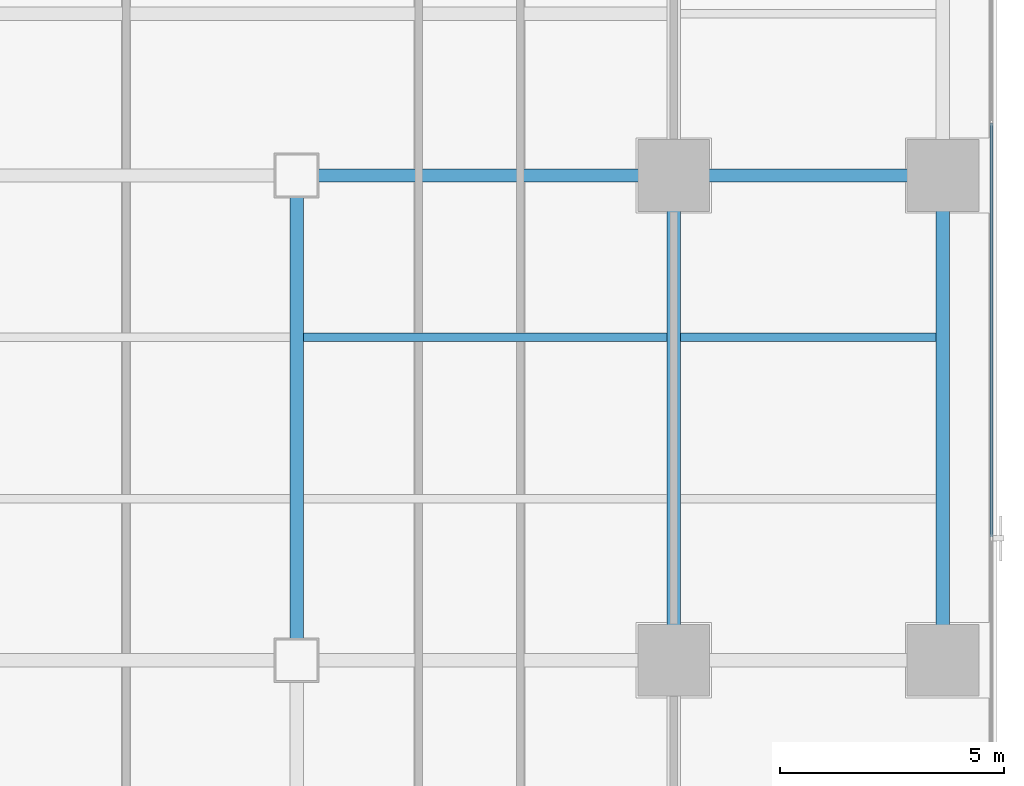
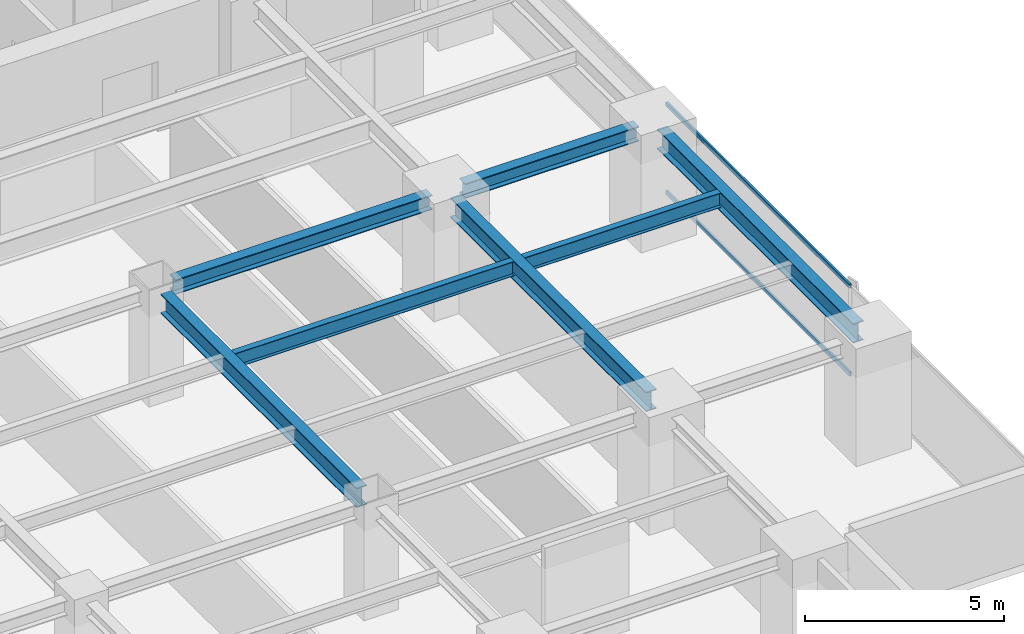
# One storey, part 12 of 27: 7 beams, 2 members, 1 element without a shape of its own.
"""IFC4 building model written with IfcOpenShell, lengths in metres."""

from ifc_helpers import new_model, si_unit, direction, frame, origin, origin_2d, place, context, subcontext, project, spatial, hollow_rectangle, i_section, extrude, source, transform, mapped, material, layer, layer_set, material_profile, profile_set, type_object, element, aggregate, save


model = new_model("IFC4")

# Units and contexts
model_context = context("Model", 3, precision=1e-05, world=origin(), true_north=direction((0.0, 1.0)))
body_context = subcontext(model_context, "Body", "Model", "MODEL_VIEW")
ifc_project = project(units=[si_unit("LENGTHUNIT", "METRE"), si_unit("AREAUNIT", "SQUARE_METRE"), si_unit("VOLUMEUNIT", "CUBIC_METRE"), si_unit("PLANEANGLEUNIT", "RADIAN"), si_unit("MASSUNIT", "GRAM", prefix="KILO")], contexts=[model_context])

# Site, building, storey
site_placement = place(None, origin())
site = spatial("IfcSite", under=ifc_project, at=site_placement, CompositionType="ELEMENT")
building_placement = place(site_placement, origin())
building = spatial("IfcBuilding", under=site, at=building_placement, Name="Sumidabori Civic Tower", CompositionType="ELEMENT")
storey_placement = place(building_placement, frame((0.0, 0.0, 160.39990234375)))
storey = spatial("IfcBuildingStorey", under=building, at=storey_placement, Name="L41", CompositionType="ELEMENT", Elevation=160.39990234375)

# Beams
ifc_material_1 = material(Name="Steel SN490", Category="steel")
ifc_material_profile_1 = material_profile(ifc_material_1, i_section(OverallWidth=0.300048828125, OverallDepth=0.60009765625, WebThickness=0.015380859375, FlangeThickness=0.030029296875, at=origin_2d()), Name="HE 600 B")
ifc_profile_set_1 = profile_set([ifc_material_profile_1], Name="Steel SN490")
beam_type_1 = type_object("IfcBeamType", Name="BM-GIRD-600", PredefinedType="BEAM", material=ifc_profile_set_1)
shared_shape_1 = source(origin(), body_context, "Body", "SweptSolid", [
    extrude(i_section(OverallWidth=0.300048828125, OverallDepth=0.60009765625, WebThickness=0.015380859375, FlangeThickness=0.030029296875, at=origin_2d()), origin(), (0.0, 0.0, 1.0), 9.840087890625),
])
for number, where, z_axis, x_axis, name in (
    (1, (8.39990234375, -10.320068359375, 3.080078125), (0.0, 1.0, 0.0), (-1.0, 0.0, 0.0), "Primary Girder L41 GY-31"),
    (2, (16.800048828125, -10.320068359375, 3.080078125), (0.0, 1.0, 0.0), (-1.0, 0.0, 0.0), "Primary Girder L41 GY-33"),
    (3, (22.800048828125, -10.320068359375, 3.080078125), (0.0, 1.0, 0.0), (-1.0, 0.0, 0.0), "Primary Girder L41 GY-36"),
):
    element("IfcBeam", number, at=place(storey_placement, frame(where, z_axis=z_axis, x_axis=x_axis)), inside=storey, type_object=beam_type_1, Name=name, PredefinedType="BEAM", context=body_context, shape_type="MappedRepresentation", body=[
        mapped(shared_shape_1, transform((0.0, 0.0, 0.0), x_axis=(1.0, 0.0, 0.0), y_axis=(0.0, 1.0, 0.0), z_axis=(0.0, 0.0, 1.0), scale=1.0)),
    ])
ifc_material_profile_2 = material_profile(ifc_material_1, i_section(OverallWidth=0.18994140625, OverallDepth=0.449951171875, WebThickness=0.009521484375, FlangeThickness=0.0146484375, at=origin_2d()), Name="IPE 450")
ifc_profile_set_2 = profile_set([ifc_material_profile_2], Name="Steel SN490")
beam_type_2 = type_object("IfcBeamType", Name="BM-JST-450", PredefinedType="JOIST", material=ifc_profile_set_2)
shared_shape_2 = source(origin(), body_context, "Body", "SweptSolid", [
    extrude(i_section(OverallWidth=0.18994140625, OverallDepth=0.449951171875, WebThickness=0.009521484375, FlangeThickness=0.0146484375, at=origin_2d()), origin(), (0.0, 0.0, 1.0), 5.699951171875),
])
beam_1_placement = place(storey_placement, frame((16.949951171875, -3.60009765625, 3.155029296875), z_axis=(1.0, 0.0, 0.0), x_axis=(0.0, 1.0, 0.0)))
element("IfcBeam", 4, at=beam_1_placement, inside=storey, type_object=beam_type_2, Name="Outer Bay Floor Joist L41 JSTO-42", PredefinedType="JOIST", context=body_context, shape_type="MappedRepresentation", body=[
    mapped(shared_shape_2, transform((0.0, 0.0, 0.0), x_axis=(1.0, 0.0, 0.0), y_axis=(0.0, 1.0, 0.0), z_axis=(0.0, 0.0, 1.0), scale=1.0)),
])
shared_shape_3 = source(origin(), body_context, "Body", "SweptSolid", [
    extrude(i_section(OverallWidth=0.18994140625, OverallDepth=0.449951171875, WebThickness=0.009521484375, FlangeThickness=0.0146484375, at=origin_2d()), origin(), (0.0, 0.0, 1.0), 8.099853515625),
])
beam_2_placement = place(storey_placement, frame((8.550048828125, -3.60009765625, 3.155029296875), z_axis=(1.0, 0.0, 0.0), x_axis=(0.0, 1.0, 0.0)))
element("IfcBeam", 5, at=beam_2_placement, inside=storey, type_object=beam_type_2, Name="South Bay Floor Joist L41 JSTS-60", PredefinedType="JOIST", context=body_context, shape_type="MappedRepresentation", body=[
    mapped(shared_shape_3, transform((0.0, 0.0, 0.0), x_axis=(1.0, 0.0, 0.0), y_axis=(0.0, 1.0, 0.0), z_axis=(0.0, 0.0, 1.0), scale=1.0)),
])
ifc_material_profile_3 = material_profile(ifc_material_1, i_section(OverallWidth=0.300048828125, OverallDepth=0.449951171875, WebThickness=0.013916015625, FlangeThickness=0.02587890625, at=origin_2d()), Name="HE 450 B")
ifc_profile_set_3 = profile_set([ifc_material_profile_3], Name="Steel SN490")
beam_type_3 = type_object("IfcBeamType", Name="BM-GIRD-450", PredefinedType="BEAM", material=ifc_profile_set_3)
shared_shape_4 = source(origin(), body_context, "Body", "SweptSolid", [
    extrude(i_section(OverallWidth=0.300048828125, OverallDepth=0.449951171875, WebThickness=0.013916015625, FlangeThickness=0.02587890625, at=origin_2d()), origin(), (0.0, 0.0, 1.0), 7.440185546875),
])
beam_3_placement = place(storey_placement, frame((8.8798828125, 0.0, 3.155029296875), z_axis=(1.0, 0.0, 0.0), x_axis=(0.0, 1.0, 0.0)))
element("IfcBeam", 6, at=beam_3_placement, inside=storey, type_object=beam_type_3, Name="Primary Girder L41 GX-15", PredefinedType="BEAM", context=body_context, shape_type="MappedRepresentation", body=[
    mapped(shared_shape_4, transform((0.0, 0.0, 0.0), x_axis=(1.0, 0.0, 0.0), y_axis=(0.0, 1.0, 0.0), z_axis=(0.0, 0.0, 1.0), scale=1.0)),
])
shared_shape_5 = source(origin(), body_context, "Body", "SweptSolid", [
    extrude(i_section(OverallWidth=0.300048828125, OverallDepth=0.449951171875, WebThickness=0.013916015625, FlangeThickness=0.02587890625, at=origin_2d()), origin(), (0.0, 0.0, 1.0), 5.0400390625),
])
beam_4_placement = place(storey_placement, frame((17.280029296875, 0.0, 3.155029296875), z_axis=(1.0, 0.0, 0.0), x_axis=(0.0, 1.0, 0.0)))
element("IfcBeam", 7, at=beam_4_placement, inside=storey, type_object=beam_type_3, Name="Primary Girder L41 GX-16", PredefinedType="BEAM", context=body_context, shape_type="MappedRepresentation", body=[
    mapped(shared_shape_5, transform((0.0, 0.0, 0.0), x_axis=(1.0, 0.0, 0.0), y_axis=(0.0, 1.0, 0.0), z_axis=(0.0, 0.0, 1.0), scale=1.0)),
])

# Curtain wall, members
ifc_material_2 = material(Name="Anodised Bronze Aluminium AW-6063-T6", Category="aluminium")
ifc_layer = layer(ifc_material_2, 0.179931640625, Name="Anodised Bronze Aluminium AW-6063-T6")
ifc_layer_set = layer_set([ifc_layer], Name="Anodised Bronze Aluminium AW-6063-T6")
curtain_wall_type = type_object("IfcCurtainWallType", Name="CW-SYS-3", PredefinedType="NOTDEFINED", material=ifc_layer_set)
curtain_wall_placement = place(storey_placement, origin())
curtain_wall = element("IfcCurtainWall", 8, at=curtain_wall_placement, inside=storey, type_object=curtain_wall_type, Name="Curtain Wall CW:L41:R04", PredefinedType="NOTDEFINED")
ifc_material_profile_4 = material_profile(ifc_material_2, hollow_rectangle(XDim=0.06005859375, YDim=0.1298828125, WallThickness=0.0048828125, at=origin_2d()), Name="ALU TRANSOM 130x60")
ifc_profile_set_4 = profile_set([ifc_material_profile_4], Name="Anodised Bronze Aluminium AW-6063-T6")
member_type = type_object("IfcMemberType", Name="CW-TRN-130", PredefinedType="USERDEFINED", material=ifc_profile_set_4)
shared_shape_6 = source(origin(), body_context, "Body", "SweptSolid", [
    extrude(hollow_rectangle(XDim=0.06005859375, YDim=0.1298828125, WallThickness=0.0048828125, at=origin_2d()), origin(), (0.0, 0.0, 1.0), 9.219970703125),
])
member_1_placement = place(storey_placement, frame((23.8798828125, -8.052490234375, 0.030029296875), z_axis=(0.0, 1.0, 0.0), x_axis=(-1.0, 0.0, 0.0)))
member_1 = element("IfcMember", 9, at=member_1_placement, type_object=member_type, Name="CW-3 transom 2.1", ObjectType="TRANSOM", PredefinedType="USERDEFINED", context=body_context, shape_type="MappedRepresentation", body=[
    mapped(shared_shape_6, transform((0.0, 0.0, 0.0), x_axis=(1.0, 0.0, 0.0), y_axis=(0.0, 1.0, 0.0), z_axis=(0.0, 0.0, 1.0), scale=1.0)),
])
member_2_placement = place(storey_placement, frame((23.8798828125, -8.052490234375, 2.72998046875), z_axis=(0.0, 1.0, 0.0), x_axis=(-1.0, 0.0, 0.0)))
member_2 = element("IfcMember", 10, at=member_2_placement, type_object=member_type, Name="CW-3 transom 2.2", ObjectType="TRANSOM", PredefinedType="USERDEFINED", context=body_context, shape_type="MappedRepresentation", body=[
    mapped(shared_shape_6, transform((0.0, 0.0, 0.0), x_axis=(1.0, 0.0, 0.0), y_axis=(0.0, 1.0, 0.0), z_axis=(0.0, 0.0, 1.0), scale=1.0)),
])
aggregate(curtain_wall, [member_1, member_2])

save(model, "model.ifc")
